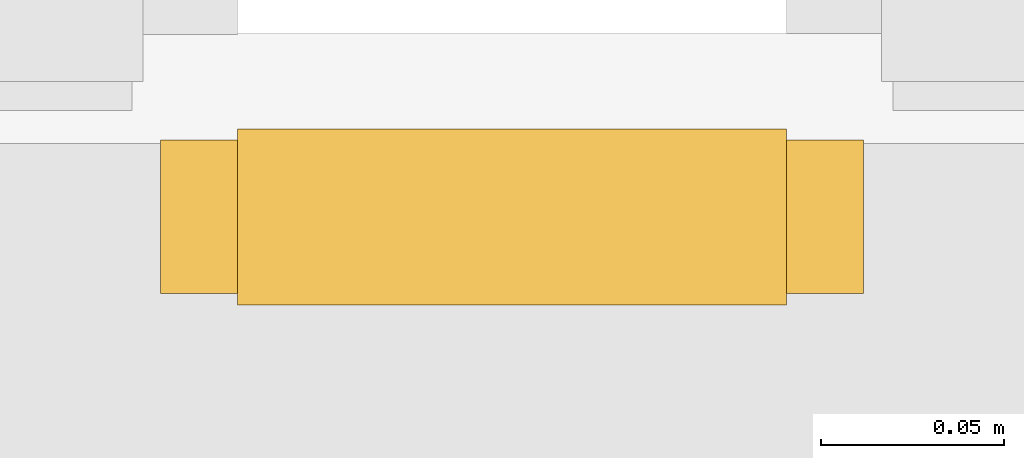
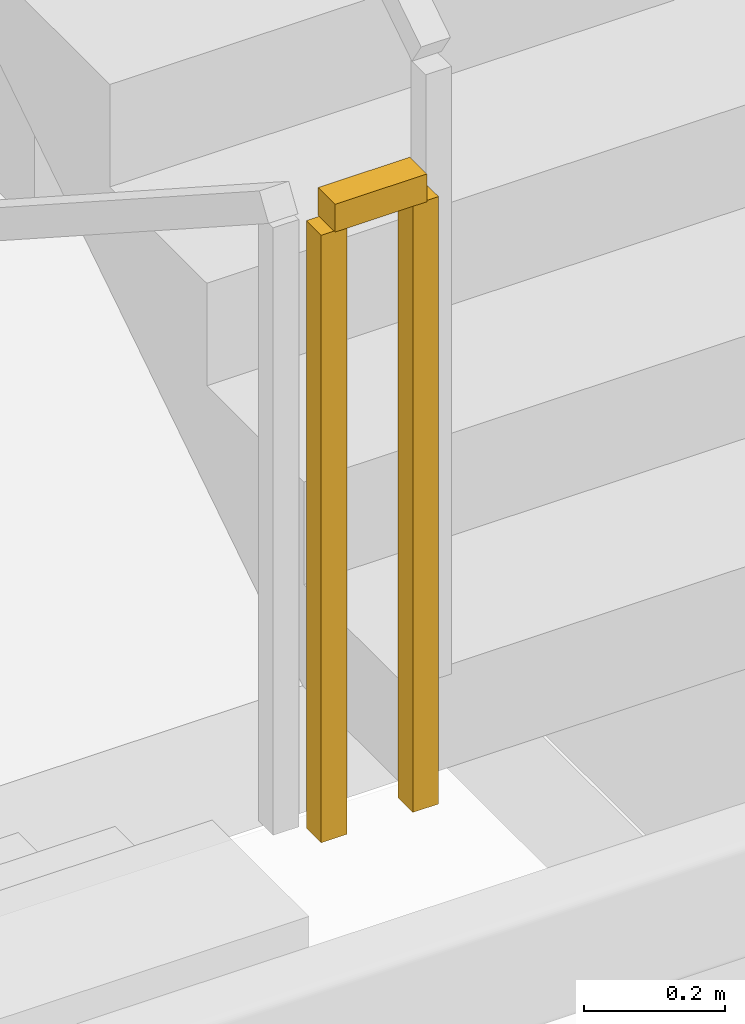
# One storey, part 8 of 10: 1 railing.
"""IFC4 building model written with IfcOpenShell, lengths in metres."""

from ifc_helpers import new_model, si_unit, direction, frame, origin, origin_2d, place, context, subcontext, project, spatial, rectangle, extrude, material, type_object, element, save


model = new_model("IFC4")

# Units and contexts
model_context = context("Model", 3, precision=1e-05, world=origin(), true_north=direction((0.0, 1.0)))
body_context = subcontext(model_context, "Body", "Model", "MODEL_VIEW")
ifc_project = project(units=[si_unit("LENGTHUNIT", "METRE"), si_unit("AREAUNIT", "SQUARE_METRE"), si_unit("VOLUMEUNIT", "CUBIC_METRE"), si_unit("PLANEANGLEUNIT", "RADIAN"), si_unit("MASSUNIT", "GRAM", prefix="KILO")], contexts=[model_context])

# Site, building, storey
site_placement = place(None, origin())
site = spatial("IfcSite", under=ifc_project, at=site_placement, CompositionType="ELEMENT")
building_placement = place(site_placement, origin())
building = spatial("IfcBuilding", under=site, at=building_placement, Name="Cinnabar Lancet Tower", CompositionType="ELEMENT")
storey_placement = place(building_placement, frame((0.0, 0.0, 24.89990234375)))
storey = spatial("IfcBuildingStorey", under=building, at=storey_placement, Name="L05", CompositionType="ELEMENT", Elevation=24.89990234375)

# Railing
ifc_material = material(Name="Painted galvanized steel balustrade", Category="steel")
railing_type = type_object("IfcRailingType", Name="GUARD-STAIR", PredefinedType="GUARDRAIL", material=ifc_material)
railing_placement = place(storey_placement, frame((25.02490234375, 25.875, 1.775146484375)))
element("IfcRailing", 1, at=railing_placement, inside=storey, type_object=railing_type, Name="L05 ST-1 stair guard 2", PredefinedType="GUARDRAIL", context=body_context, shape_type="SweptSolid", body=[
    extrude(rectangle(XDim=0.048095703125, YDim=0.048095703125, at=origin_2d()), frame((0.0, 0.0, 1.076171875), z_axis=(1.0, 0.0, 0.0), x_axis=(0.0, 1.0, 0.0)), (0.0, 0.0, 1.0), 0.150146484375),
    extrude(rectangle(XDim=0.0419921875, YDim=0.0419921875, at=origin_2d()), origin(), (0.0, 0.0, 1.0), 1.052001953125),
    extrude(rectangle(XDim=0.0419921875, YDim=0.0419921875, at=origin_2d()), frame((0.150146484375, 0.0, 0.0)), (0.0, 0.0, 1.0), 1.052001953125),
])

save(model, "model.ifc")
